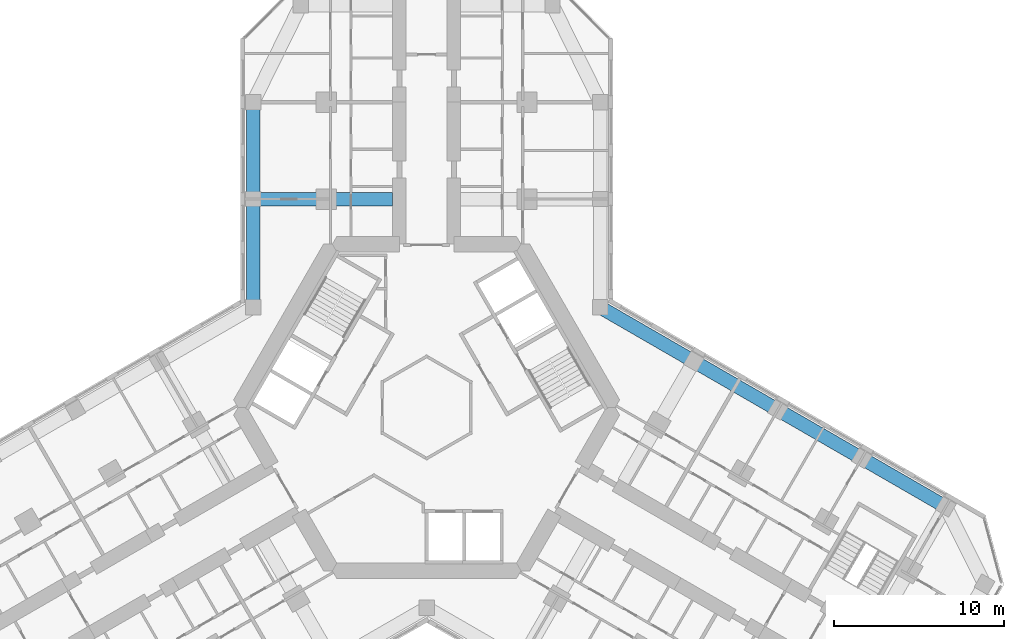
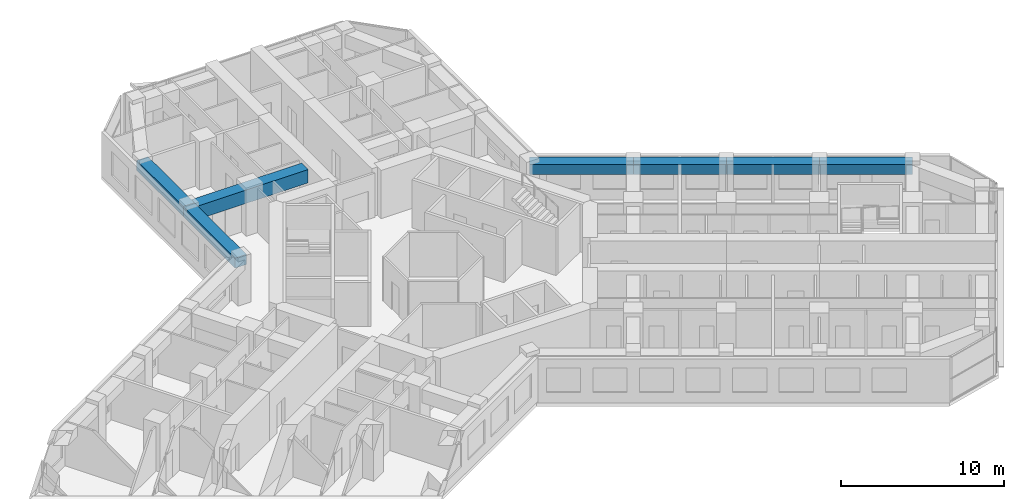
# One storey, part 6 of 20: 7 beams.
"""IFC4 building model written with IfcOpenShell, lengths in metres."""

from ifc_helpers import new_model, si_unit, direction, frame, origin, origin_2d, place, context, subcontext, project, spatial, rectangle, extrude, material, material_profile, profile_set, type_object, element, save


model = new_model("IFC4")

# Units and contexts
model_context = context("Model", 3, precision=1e-05, world=origin(), true_north=direction((0.0, 1.0)))
body_context = subcontext(model_context, "Body", "Model", "MODEL_VIEW")
ifc_project = project(units=[si_unit("LENGTHUNIT", "METRE"), si_unit("AREAUNIT", "SQUARE_METRE"), si_unit("VOLUMEUNIT", "CUBIC_METRE"), si_unit("PLANEANGLEUNIT", "RADIAN"), si_unit("MASSUNIT", "GRAM", prefix="KILO")], contexts=[model_context])

# Site, building, storey
site_placement = place(None, origin())
site = spatial("IfcSite", under=ifc_project, at=site_placement, CompositionType="ELEMENT")
building_placement = place(site_placement, origin())
building = spatial("IfcBuilding", under=site, at=building_placement, Name="Kosmar Iwan School Tower", CompositionType="ELEMENT")
storey_placement = place(building_placement, frame((0.0, 0.0, 183.199951171875)))
storey = spatial("IfcBuildingStorey", under=building, at=storey_placement, Name="L46", CompositionType="ELEMENT", Elevation=183.199951171875)

# Beams
ifc_material_1 = material(Name="Concrete C50/60", Category="concrete")
ifc_material_profile_1 = material_profile(ifc_material_1, rectangle(XDim=0.800048828125, YDim=0.75, at=origin_2d()), Name="RC 800x750 + HD 400x634")
ifc_profile_set_1 = profile_set([ifc_material_profile_1], Name="Concrete C50/60")
beam_type_1 = type_object("IfcBeamType", Name="Composite edge beam 800x750 HD 400x634", PredefinedType="BEAM", material=ifc_profile_set_1)
beam_1_placement = place(storey_placement, frame((-10.199951171875, 5.888916015625, 2.925048828125), z_axis=(0.0, 1.0, 0.0), x_axis=(-1.0, 0.0, 0.0)))
element("IfcBeam", 1, at=beam_1_placement, inside=storey, type_object=beam_type_1, Name="Edge beam AL1", PredefinedType="BEAM", context=body_context, shape_type="SweptSolid", body=[
    extrude(rectangle(XDim=0.800048828125, YDim=0.75, at=origin_2d()), origin(), (0.0, 0.0, 1.0), 6.361083984375),
])
beam_2_placement = place(storey_placement, frame((-10.199951171875, 12.25, 2.925048828125), z_axis=(0.0, 1.0, 0.0), x_axis=(-1.0, 0.0, 0.0)))
element("IfcBeam", 2, at=beam_2_placement, inside=storey, type_object=beam_type_1, Name="Edge beam AL2", PredefinedType="BEAM", context=body_context, shape_type="SweptSolid", body=[
    extrude(rectangle(XDim=0.800048828125, YDim=0.75, at=origin_2d()), origin(), (0.0, 0.0, 1.0), 5.699951171875),
])
beam_3_placement = place(storey_placement, frame((10.199951171875, 5.888916015625, 2.925048828125), z_axis=(0.866030912664, -0.49999045822, 0.0), x_axis=(0.49999045822, 0.866030912664, 0.0)))
element("IfcBeam", 3, at=beam_3_placement, inside=storey, type_object=beam_type_1, Name="Edge beam CL1", PredefinedType="BEAM", context=body_context, shape_type="SweptSolid", body=[
    extrude(rectangle(XDim=0.800048828125, YDim=0.75, at=origin_2d()), origin(), (0.0, 0.0, 1.0), 6.36083984375),
])
beam_4_placement = place(storey_placement, frame((15.708740234375, 2.70849609375, 2.925048828125), z_axis=(0.866025820012, -0.499999279071, 0.0), x_axis=(0.499999279071, 0.866025820012, 0.0)))
element("IfcBeam", 4, at=beam_4_placement, inside=storey, type_object=beam_type_1, Name="Edge beam CL2", PredefinedType="BEAM", context=body_context, shape_type="SweptSolid", body=[
    extrude(rectangle(XDim=0.800048828125, YDim=0.75, at=origin_2d()), origin(), (0.0, 0.0, 1.0), 5.7001953125),
])
for number, where, z_axis, x_axis, name in (
    (5, (20.645263671875, -0.1416015625, 2.925048828125), (0.866033658841, -0.49998570155, 0.0), (0.49998570155, 0.866033658841, 0.0), "Edge beam CL3"),
    (6, (25.58154296875, -2.991455078125, 2.925048828125), (0.866015111908, -0.50001782563, 0.0), (0.50001782563, 0.866015111908, 0.0), "Edge beam CL4"),
):
    element("IfcBeam", number, at=place(storey_placement, frame(where, z_axis=z_axis, x_axis=x_axis)), inside=storey, type_object=beam_type_1, Name=name, PredefinedType="BEAM", context=body_context, shape_type="SweptSolid", body=[
        extrude(rectangle(XDim=0.800048828125, YDim=0.75, at=origin_2d()), origin(), (0.0, 0.0, 1.0), 5.699951171875),
    ])
ifc_material_2 = material(Name="Concrete C50/60", Category="concrete")
ifc_material_profile_2 = material_profile(ifc_material_2, rectangle(XDim=0.800048828125, YDim=1.0, at=origin_2d()), Name="RC 800x1000 + HD 400x634")
ifc_profile_set_2 = profile_set([ifc_material_profile_2], Name="Concrete C50/60")
beam_type_2 = type_object("IfcBeamType", Name="Composite transverse beam 800x1000 HD 400x634", PredefinedType="BEAM", material=ifc_profile_set_2)
beam_5_placement = place(storey_placement, frame((-10.199951171875, 12.25, 2.800048828125), z_axis=(1.0, 0.0, 0.0), x_axis=(0.0, 1.0, 0.0)))
element("IfcBeam", 7, at=beam_5_placement, inside=storey, type_object=beam_type_2, Name="Transverse beam AL1", PredefinedType="BEAM", context=body_context, shape_type="SweptSolid", body=[
    extrude(rectangle(XDim=0.800048828125, YDim=1.0, at=origin_2d()), origin(), (0.0, 0.0, 1.0), 8.199951171875),
])

save(model, "model.ifc")
